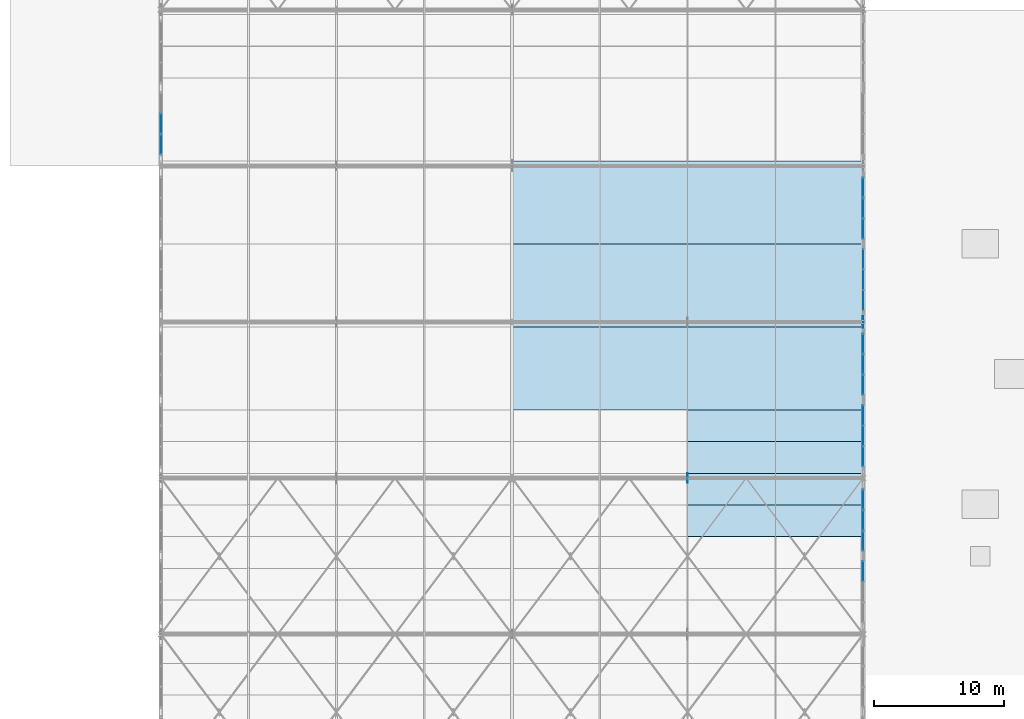
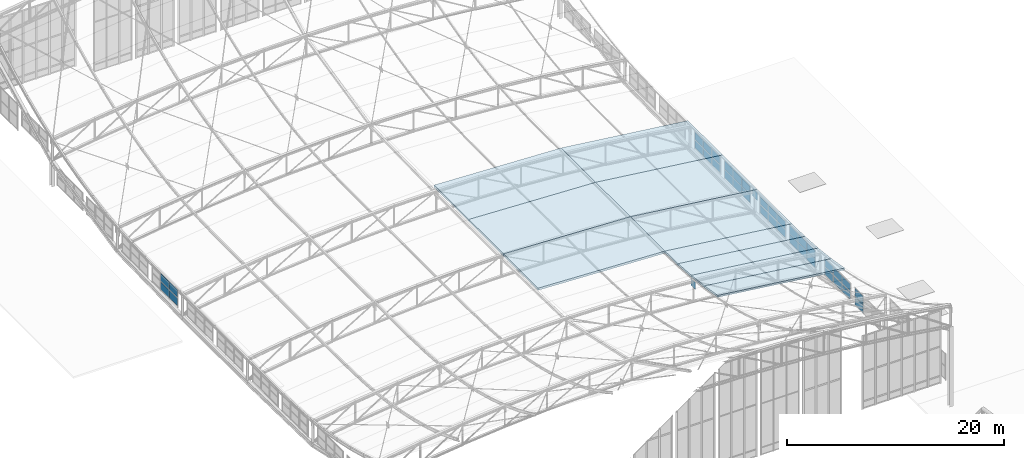
# One storey, part 224 of 262: 38 plates, 10 slabs, 7 elements without a shape of their own.
"""IFC4 building model written with IfcOpenShell, lengths in metres."""

from ifc_helpers import new_model, si_unit, derived_unit, direction, frame, origin, origin_2d, place, context, subcontext, project, spatial, polyline, rectangle, outline, extrude, material, layer, layer_set, type_object, element, aggregate, save


model = new_model("IFC4")

# Units and contexts
model_context = context("Model", 3, precision=1e-05, world=origin(), true_north=direction((0.0, 1.0)))
body_context = subcontext(model_context, "Body", "Model", "MODEL_VIEW")
ifc_project = project(units=[si_unit("LENGTHUNIT", "METRE"), si_unit("AREAUNIT", "SQUARE_METRE"), si_unit("VOLUMEUNIT", "CUBIC_METRE"), si_unit("PLANEANGLEUNIT", "RADIAN"), si_unit("MASSUNIT", "GRAM", prefix="KILO"), derived_unit("THERMALTRANSMITTANCEUNIT", [(si_unit("POWERUNIT", "WATT"), 1), (si_unit("LENGTHUNIT", "METRE"), -2), (si_unit("THERMODYNAMICTEMPERATUREUNIT", "KELVIN"), -1)])], contexts=[model_context])

# Site, building, storey
site_placement = place(None, origin())
site = spatial("IfcSite", under=ifc_project, at=site_placement, CompositionType="ELEMENT")
building_placement = place(site_placement, origin())
building = spatial("IfcBuilding", under=site, at=building_placement, Name="Almenara Railside Exhibition Hall", CompositionType="ELEMENT")
storey_placement = place(building_placement, frame((0.0, 0.0, 21.699951171875)))
storey = spatial("IfcBuildingStorey", under=building, at=storey_placement, Name="RF", CompositionType="ELEMENT", Elevation=21.699951171875)

# Curtain wall, plates
ifc_material_1 = material(Name="Bronze-anodised aluminium and low-E double glazing", Category="aluminium")
ifc_layer_1 = layer(ifc_material_1, 0.179931640625, Name="Bronze-anodised aluminium and low-E double glazing")
ifc_layer_set_1 = layer_set([ifc_layer_1], Name="Bronze-anodised aluminium and low-E double glazing")
curtain_wall_type = type_object("IfcCurtainWallType", Name="West Hall Clerestory Curtain Wall 4200x2400", PredefinedType="NOTDEFINED", material=ifc_layer_set_1)
curtain_wall_1_placement = place(storey_placement, origin())
curtain_wall_1 = element("IfcCurtainWall", 1, at=curtain_wall_1_placement, inside=storey, type_object=curtain_wall_type, Name="Curtain wall CW-CL1-175", PredefinedType="NOTDEFINED")
ifc_material_2 = material(Name="Solar-control acoustic laminated glazing", Category="glass")
ifc_layer_2 = layer(ifc_material_2, 0.031982421875, Name="Solar-control acoustic laminated glazing")
ifc_layer_set_2 = layer_set([ifc_layer_2], Name="Solar-control acoustic laminated glazing")
plate_type_1 = type_object("IfcPlateType", Name="Acoustic Low-E Double Glazing Panel 32mm", PredefinedType="CURTAIN_PANEL", material=ifc_layer_set_2)
plate_1_placement = place(storey_placement, frame((66.0, 67.16748046875, -1.64599609375), z_axis=(0.0, 0.0, 1.0), x_axis=(0.0, 1.0, 0.0)))
plate_1 = element("IfcPlate", 2, at=plate_1_placement, type_object=plate_type_1, Name="CW-CL1-175 panel 1.1", PredefinedType="CURTAIN_PANEL", context=body_context, shape_type="SweptSolid", body=[
    extrude(rectangle(XDim=1.510986328125, YDim=0.031982421875, at=origin_2d()), origin(), (0.0, 0.0, 1.0), 0.81689453125),
])
plate_2_placement = place(storey_placement, frame((66.0, 67.16748046875, -0.700927734375), z_axis=(0.0, 0.0, 1.0), x_axis=(0.0, 1.0, 0.0)))
plate_2 = element("IfcPlate", 3, at=plate_2_placement, type_object=plate_type_1, Name="CW-CL1-175 panel 1.2", PredefinedType="CURTAIN_PANEL", context=body_context, shape_type="SweptSolid", body=[
    extrude(rectangle(XDim=1.510986328125, YDim=0.031982421875, at=origin_2d()), origin(), (0.0, 0.0, 1.0), 0.81689453125),
])
plate_3_placement = place(storey_placement, frame((66.0, 68.75, -1.64599609375), z_axis=(0.0, 0.0, 1.0), x_axis=(0.0, 1.0, 0.0)))
plate_3 = element("IfcPlate", 4, at=plate_3_placement, type_object=plate_type_1, Name="CW-CL1-175 panel 2.1", PredefinedType="CURTAIN_PANEL", context=body_context, shape_type="SweptSolid", body=[
    extrude(rectangle(XDim=1.5458984375, YDim=0.031982421875, at=origin_2d()), origin(), (0.0, 0.0, 1.0), 0.81689453125),
])
plate_4_placement = place(storey_placement, frame((66.0, 68.75, -0.700927734375), z_axis=(0.0, 0.0, 1.0), x_axis=(0.0, 1.0, 0.0)))
plate_4 = element("IfcPlate", 5, at=plate_4_placement, type_object=plate_type_1, Name="CW-CL1-175 panel 2.2", PredefinedType="CURTAIN_PANEL", context=body_context, shape_type="SweptSolid", body=[
    extrude(rectangle(XDim=1.5458984375, YDim=0.031982421875, at=origin_2d()), origin(), (0.0, 0.0, 1.0), 0.81689453125),
])
plate_5_placement = place(storey_placement, frame((66.0, 70.33251953125, -1.64599609375), z_axis=(0.0, 0.0, 1.0), x_axis=(0.0, 1.0, 0.0)))
plate_5 = element("IfcPlate", 6, at=plate_5_placement, type_object=plate_type_1, Name="CW-CL1-175 panel 3.1", PredefinedType="CURTAIN_PANEL", context=body_context, shape_type="SweptSolid", body=[
    extrude(rectangle(XDim=1.510986328125, YDim=0.031982421875, at=origin_2d()), origin(), (0.0, 0.0, 1.0), 0.81689453125),
])
plate_6_placement = place(storey_placement, frame((66.0, 70.33251953125, -0.700927734375), z_axis=(0.0, 0.0, 1.0), x_axis=(0.0, 1.0, 0.0)))
plate_6 = element("IfcPlate", 7, at=plate_6_placement, type_object=plate_type_1, Name="CW-CL1-175 panel 3.2", PredefinedType="CURTAIN_PANEL", context=body_context, shape_type="SweptSolid", body=[
    extrude(rectangle(XDim=1.510986328125, YDim=0.031982421875, at=origin_2d()), origin(), (0.0, 0.0, 1.0), 0.81689453125),
])
aggregate(curtain_wall_1, [plate_1, plate_2, plate_3, plate_4, plate_5, plate_6])

curtain_wall_2_placement = place(storey_placement, origin())
curtain_wall_2 = element("IfcCurtainWall", 8, at=curtain_wall_2_placement, inside=storey, type_object=curtain_wall_type, Name="Curtain wall CW-CL1-182", PredefinedType="NOTDEFINED")
ifc_material_3 = material(Name="Clear low-E laminated double glazing", Category="glass")
ifc_layer_3 = layer(ifc_material_3, 0.02392578125, Name="Clear low-E laminated double glazing")
ifc_layer_set_3 = layer_set([ifc_layer_3], Name="Clear low-E laminated double glazing")
plate_type_2 = type_object("IfcPlateType", Name="Courtyard Clear Double Glazing Panel 24mm", PredefinedType="CURTAIN_PANEL", material=ifc_layer_set_3)
plate_7_placement = place(storey_placement, frame((66.0, 85.663818359375, -1.97607421875), z_axis=(0.0, 0.0, 1.0), x_axis=(0.0, 1.0, 0.0)))
plate_7 = element("IfcPlate", 9, at=plate_7_placement, type_object=plate_type_2, Name="CW-CL1-182 panel 1.1", PredefinedType="CURTAIN_PANEL", context=body_context, shape_type="SweptSolid", body=[
    extrude(rectangle(XDim=1.533447265625, YDim=0.02392578125, at=origin_2d()), origin(), (0.0, 0.0, 1.0), 0.922119140625),
])
plate_8_placement = place(storey_placement, frame((66.0, 85.663818359375, -0.99609375), z_axis=(0.0, 0.0, 1.0), x_axis=(0.0, 1.0, 0.0)))
plate_8 = element("IfcPlate", 10, at=plate_8_placement, type_object=plate_type_2, Name="CW-CL1-182 panel 1.2", PredefinedType="CURTAIN_PANEL", context=body_context, shape_type="SweptSolid", body=[
    extrude(rectangle(XDim=1.533447265625, YDim=0.02392578125, at=origin_2d()), origin(), (0.0, 0.0, 1.0), 0.922119140625),
])
plate_9_placement = place(storey_placement, frame((66.0, 87.25, -1.97607421875), z_axis=(0.0, 0.0, 1.0), x_axis=(0.0, 1.0, 0.0)))
plate_9 = element("IfcPlate", 11, at=plate_9_placement, type_object=plate_type_2, Name="CW-CL1-182 panel 2.1", PredefinedType="CURTAIN_PANEL", context=body_context, shape_type="SweptSolid", body=[
    extrude(rectangle(XDim=1.56103515625, YDim=0.02392578125, at=origin_2d()), origin(), (0.0, 0.0, 1.0), 0.922119140625),
])
plate_10_placement = place(storey_placement, frame((66.0, 87.25, -0.99609375), z_axis=(0.0, 0.0, 1.0), x_axis=(0.0, 1.0, 0.0)))
plate_10 = element("IfcPlate", 12, at=plate_10_placement, type_object=plate_type_2, Name="CW-CL1-182 panel 2.2", PredefinedType="CURTAIN_PANEL", context=body_context, shape_type="SweptSolid", body=[
    extrude(rectangle(XDim=1.56103515625, YDim=0.02392578125, at=origin_2d()), origin(), (0.0, 0.0, 1.0), 0.922119140625),
])
plate_11_placement = place(storey_placement, frame((66.0, 88.836181640625, -1.97607421875), z_axis=(0.0, 0.0, 1.0), x_axis=(0.0, 1.0, 0.0)))
plate_11 = element("IfcPlate", 13, at=plate_11_placement, type_object=plate_type_2, Name="CW-CL1-182 panel 3.1", PredefinedType="CURTAIN_PANEL", context=body_context, shape_type="SweptSolid", body=[
    extrude(rectangle(XDim=1.533447265625, YDim=0.02392578125, at=origin_2d()), origin(), (0.0, 0.0, 1.0), 0.922119140625),
])
plate_12_placement = place(storey_placement, frame((66.0, 88.836181640625, -0.99609375), z_axis=(0.0, 0.0, 1.0), x_axis=(0.0, 1.0, 0.0)))
plate_12 = element("IfcPlate", 14, at=plate_12_placement, type_object=plate_type_2, Name="CW-CL1-182 panel 3.2", PredefinedType="CURTAIN_PANEL", context=body_context, shape_type="SweptSolid", body=[
    extrude(rectangle(XDim=1.533447265625, YDim=0.02392578125, at=origin_2d()), origin(), (0.0, 0.0, 1.0), 0.922119140625),
])
aggregate(curtain_wall_2, [plate_7, plate_8, plate_9, plate_10, plate_11, plate_12])

# Slabs
ifc_material_4 = material(Name="Planted green roof insulated steel S355JR deck", Category="steel")
ifc_layer_4 = layer(ifc_material_4, 0.2451171875, Name="Planted green roof insulated steel S355JR deck")
ifc_layer_set_4 = layer_set([ifc_layer_4], Name="Planted green roof insulated steel S355JR deck")
slab_type_1 = type_object("IfcSlabType", Name="Flat Planted Hall Roof Deck 245mm S355JR", PredefinedType="ROOF", material=ifc_layer_set_4)
slab_1_placement = place(storey_placement, frame((39.0, 77.240478515625, 2.5400390625), z_axis=(0.04071057978, 0.0, 0.99917098071), x_axis=(0.99917098071, 0.0, -0.04071057978)))
element("IfcSlab", 15, at=slab_1_placement, inside=storey, type_object=slab_type_1, Name="V1 roof cassette RC-V1-13C", PredefinedType="ROOF", context=body_context, shape_type="SweptSolid", body=[
    extrude(outline(polyline([(0.0, 0.0), (13.511201046291989, 0.0), (13.511201046291989, 6.379638671875), (0.0, 6.379638671875), (0.0, 0.0)])), origin(), (0.0, 0.0, -1.0), 0.2451171875),
])
slab_2_placement = place(storey_placement, frame((52.5, 77.240478515625, 1.989990234375), z_axis=(0.121312355276, 0.0, 0.992614382556), x_axis=(0.992614382556, 0.0, -0.121312355276)))
element("IfcSlab", 16, at=slab_2_placement, inside=storey, type_object=slab_type_1, Name="V1 roof cassette RC-V1-13D", PredefinedType="ROOF", context=body_context, shape_type="SweptSolid", body=[
    extrude(outline(polyline([(0.0, 0.0), (13.600447703804157, 0.0), (13.600447703804157, 6.379638671875), (0.0, 6.379638671875), (0.0, 0.0)])), origin(), (0.0, 0.0, -1.0), 0.2451171875),
])
slab_3_placement = place(storey_placement, frame((39.0, 83.6201171875, 2.5400390625), z_axis=(0.04071057978, 0.0, 0.99917098071), x_axis=(0.99917098071, 0.0, -0.04071057978)))
element("IfcSlab", 17, at=slab_3_placement, inside=storey, type_object=slab_type_1, Name="V1 roof cassette RC-V1-14C", PredefinedType="ROOF", context=body_context, shape_type="SweptSolid", body=[
    extrude(outline(polyline([(0.0, 0.0), (13.511201046291989, 0.0), (13.511201046291989, 6.3798828125), (0.0, 6.3798828125), (0.0, 0.0)])), origin(), (0.0, 0.0, -1.0), 0.2451171875),
])
slab_4_placement = place(storey_placement, frame((52.5, 83.6201171875, 1.989990234375), z_axis=(0.121312355276, 0.0, 0.992614382556), x_axis=(0.992614382556, 0.0, -0.121312355276)))
element("IfcSlab", 18, at=slab_4_placement, inside=storey, type_object=slab_type_1, Name="V1 roof cassette RC-V1-14D", PredefinedType="ROOF", context=body_context, shape_type="SweptSolid", body=[
    extrude(outline(polyline([(0.0, 0.0), (13.600447703804157, 0.0), (13.600447703804157, 6.3798828125), (0.0, 6.3798828125), (0.0, 0.0)])), origin(), (0.0, 0.0, -1.0), 0.2451171875),
])
slab_5_placement = place(storey_placement, frame((39.0, 90.0, 2.5400390625), z_axis=(0.04071057978, 0.0, 0.99917098071), x_axis=(0.99917098071, 0.0, -0.04071057978)))
element("IfcSlab", 19, at=slab_5_placement, inside=storey, type_object=slab_type_1, Name="V1 roof cassette RC-V1-15C", PredefinedType="ROOF", context=body_context, shape_type="SweptSolid", body=[
    extrude(outline(polyline([(0.0, 0.0), (13.511201046291989, 0.0), (13.511201046291989, 6.3798828125), (0.0, 6.3798828125), (0.0, 0.0)])), origin(), (0.0, 0.0, -1.0), 0.2451171875),
])
slab_6_placement = place(storey_placement, frame((52.5, 90.0, 1.989990234375), z_axis=(0.121312355276, 0.0, 0.992614382556), x_axis=(0.992614382556, 0.0, -0.121312355276)))
element("IfcSlab", 20, at=slab_6_placement, inside=storey, type_object=slab_type_1, Name="V1 roof cassette RC-V1-15D", PredefinedType="ROOF", context=body_context, shape_type="SweptSolid", body=[
    extrude(outline(polyline([(0.0, 0.0), (13.600447703804157, 0.0), (13.600447703804157, 6.3798828125), (0.0, 6.3798828125), (0.0, 0.0)])), origin(), (0.0, 0.0, -1.0), 0.2451171875),
])

# Curtain wall, plates
curtain_wall_3_placement = place(storey_placement, origin())
curtain_wall_3 = element("IfcCurtainWall", 21, at=curtain_wall_3_placement, inside=storey, type_object=curtain_wall_type, Name="Curtain wall CW-CL1-178", PredefinedType="NOTDEFINED")
ifc_material_5 = material(Name="Bronze-anodised insulated aluminium spandrel", Category="aluminium")
ifc_layer_5 = layer(ifc_material_5, 0.0400390625, Name="Bronze-anodised insulated aluminium spandrel")
ifc_layer_set_5 = layer_set([ifc_layer_5], Name="Bronze-anodised insulated aluminium spandrel")
plate_type_3 = type_object("IfcPlateType", Name="Insulated Bronze Spandrel Panel 40mm", PredefinedType="CURTAIN_PANEL", material=ifc_layer_set_5)
plate_13_placement = place(storey_placement, frame((66.0, 73.663818359375, -1.97607421875), z_axis=(0.0, 0.0, 1.0), x_axis=(0.0, 1.0, 0.0)))
plate_13 = element("IfcPlate", 22, at=plate_13_placement, type_object=plate_type_3, Name="CW-CL1-178 panel 1.1", PredefinedType="CURTAIN_PANEL", context=body_context, shape_type="SweptSolid", body=[
    extrude(rectangle(XDim=1.533447265625, YDim=0.0400390625, at=origin_2d()), origin(), (0.0, 0.0, 1.0), 0.922119140625),
])
plate_14_placement = place(storey_placement, frame((66.0, 73.663818359375, -0.99609375), z_axis=(0.0, 0.0, 1.0), x_axis=(0.0, 1.0, 0.0)))
plate_14 = element("IfcPlate", 23, at=plate_14_placement, type_object=plate_type_3, Name="CW-CL1-178 panel 1.2", PredefinedType="CURTAIN_PANEL", context=body_context, shape_type="SweptSolid", body=[
    extrude(rectangle(XDim=1.533447265625, YDim=0.0400390625, at=origin_2d()), origin(), (0.0, 0.0, 1.0), 0.922119140625),
])
plate_15_placement = place(storey_placement, frame((66.0, 75.25, -1.97607421875), z_axis=(0.0, 0.0, 1.0), x_axis=(0.0, 1.0, 0.0)))
plate_15 = element("IfcPlate", 24, at=plate_15_placement, type_object=plate_type_3, Name="CW-CL1-178 panel 2.1", PredefinedType="CURTAIN_PANEL", context=body_context, shape_type="SweptSolid", body=[
    extrude(rectangle(XDim=1.56103515625, YDim=0.0400390625, at=origin_2d()), origin(), (0.0, 0.0, 1.0), 0.922119140625),
])
plate_16_placement = place(storey_placement, frame((66.0, 75.25, -0.99609375), z_axis=(0.0, 0.0, 1.0), x_axis=(0.0, 1.0, 0.0)))
plate_16 = element("IfcPlate", 25, at=plate_16_placement, type_object=plate_type_3, Name="CW-CL1-178 panel 2.2", PredefinedType="CURTAIN_PANEL", context=body_context, shape_type="SweptSolid", body=[
    extrude(rectangle(XDim=1.56103515625, YDim=0.0400390625, at=origin_2d()), origin(), (0.0, 0.0, 1.0), 0.922119140625),
])
plate_17_placement = place(storey_placement, frame((66.0, 76.836181640625, -1.97607421875), z_axis=(0.0, 0.0, 1.0), x_axis=(0.0, 1.0, 0.0)))
plate_17 = element("IfcPlate", 26, at=plate_17_placement, type_object=plate_type_3, Name="CW-CL1-178 panel 3.1", PredefinedType="CURTAIN_PANEL", context=body_context, shape_type="SweptSolid", body=[
    extrude(rectangle(XDim=1.533447265625, YDim=0.0400390625, at=origin_2d()), origin(), (0.0, 0.0, 1.0), 0.922119140625),
])
plate_18_placement = place(storey_placement, frame((66.0, 76.836181640625, -0.99609375), z_axis=(0.0, 0.0, 1.0), x_axis=(0.0, 1.0, 0.0)))
plate_18 = element("IfcPlate", 27, at=plate_18_placement, type_object=plate_type_3, Name="CW-CL1-178 panel 3.2", PredefinedType="CURTAIN_PANEL", context=body_context, shape_type="SweptSolid", body=[
    extrude(rectangle(XDim=1.533447265625, YDim=0.0400390625, at=origin_2d()), origin(), (0.0, 0.0, 1.0), 0.922119140625),
])
aggregate(curtain_wall_3, [plate_13, plate_14, plate_15, plate_16, plate_17, plate_18])

curtain_wall_4_placement = place(storey_placement, origin())
curtain_wall_4 = element("IfcCurtainWall", 28, at=curtain_wall_4_placement, inside=storey, type_object=curtain_wall_type, Name="Curtain wall CW-CL1-183", PredefinedType="NOTDEFINED")
plate_19_placement = place(storey_placement, frame((66.0, 91.16748046875, -1.906005859375), z_axis=(0.0, 0.0, 1.0), x_axis=(0.0, 1.0, 0.0)))
plate_19 = element("IfcPlate", 29, at=plate_19_placement, type_object=plate_type_3, Name="CW-CL1-183 panel 1.1", PredefinedType="CURTAIN_PANEL", context=body_context, shape_type="SweptSolid", body=[
    extrude(rectangle(XDim=1.510986328125, YDim=0.0400390625, at=origin_2d()), origin(), (0.0, 0.0, 1.0), 0.81689453125),
])
plate_20_placement = place(storey_placement, frame((66.0, 91.16748046875, -0.9609375), z_axis=(0.0, 0.0, 1.0), x_axis=(0.0, 1.0, 0.0)))
plate_20 = element("IfcPlate", 30, at=plate_20_placement, type_object=plate_type_3, Name="CW-CL1-183 panel 1.2", PredefinedType="CURTAIN_PANEL", context=body_context, shape_type="SweptSolid", body=[
    extrude(rectangle(XDim=1.510986328125, YDim=0.0400390625, at=origin_2d()), origin(), (0.0, 0.0, 1.0), 0.81689453125),
])
plate_21_placement = place(storey_placement, frame((66.0, 92.75, -1.906005859375), z_axis=(0.0, 0.0, 1.0), x_axis=(0.0, 1.0, 0.0)))
plate_21 = element("IfcPlate", 31, at=plate_21_placement, type_object=plate_type_3, Name="CW-CL1-183 panel 2.1", PredefinedType="CURTAIN_PANEL", context=body_context, shape_type="SweptSolid", body=[
    extrude(rectangle(XDim=1.5458984375, YDim=0.0400390625, at=origin_2d()), origin(), (0.0, 0.0, 1.0), 0.81689453125),
])
plate_22_placement = place(storey_placement, frame((66.0, 92.75, -0.9609375), z_axis=(0.0, 0.0, 1.0), x_axis=(0.0, 1.0, 0.0)))
plate_22 = element("IfcPlate", 32, at=plate_22_placement, type_object=plate_type_3, Name="CW-CL1-183 panel 2.2", PredefinedType="CURTAIN_PANEL", context=body_context, shape_type="SweptSolid", body=[
    extrude(rectangle(XDim=1.5458984375, YDim=0.0400390625, at=origin_2d()), origin(), (0.0, 0.0, 1.0), 0.81689453125),
])
plate_23_placement = place(storey_placement, frame((66.0, 94.33251953125, -1.906005859375), z_axis=(0.0, 0.0, 1.0), x_axis=(0.0, 1.0, 0.0)))
plate_23 = element("IfcPlate", 33, at=plate_23_placement, type_object=plate_type_3, Name="CW-CL1-183 panel 3.1", PredefinedType="CURTAIN_PANEL", context=body_context, shape_type="SweptSolid", body=[
    extrude(rectangle(XDim=1.510986328125, YDim=0.0400390625, at=origin_2d()), origin(), (0.0, 0.0, 1.0), 0.81689453125),
])
plate_24_placement = place(storey_placement, frame((66.0, 94.33251953125, -0.9609375), z_axis=(0.0, 0.0, 1.0), x_axis=(0.0, 1.0, 0.0)))
plate_24 = element("IfcPlate", 34, at=plate_24_placement, type_object=plate_type_3, Name="CW-CL1-183 panel 3.2", PredefinedType="CURTAIN_PANEL", context=body_context, shape_type="SweptSolid", body=[
    extrude(rectangle(XDim=1.510986328125, YDim=0.0400390625, at=origin_2d()), origin(), (0.0, 0.0, 1.0), 0.81689453125),
])
aggregate(curtain_wall_4, [plate_19, plate_20, plate_21, plate_22, plate_23, plate_24])

curtain_wall_5_placement = place(storey_placement, origin())
curtain_wall_5 = element("IfcCurtainWall", 35, at=curtain_wall_5_placement, inside=storey, type_object=curtain_wall_type, Name="Curtain wall CW-CL1-174", PredefinedType="NOTDEFINED")
ifc_layer_6 = layer(ifc_material_5, 0.034912109375, Name="Bronze-anodised insulated aluminium spandrel")
ifc_layer_set_6 = layer_set([ifc_layer_6], Name="Bronze-anodised insulated aluminium spandrel")
plate_type_4 = type_object("IfcPlateType", Name="Insulated Stucco-Tone Spandrel Panel 35mm", PredefinedType="CURTAIN_PANEL", material=ifc_layer_set_6)
plate_25_placement = place(storey_placement, frame((66.0, 64.836181640625, -1.7158203125), z_axis=(0.0, 0.0, 1.0), x_axis=(0.0, 1.0, 0.0)))
plate_25 = element("IfcPlate", 36, at=plate_25_placement, type_object=plate_type_4, Name="CW-CL1-174 panel 3.1", PredefinedType="CURTAIN_PANEL", context=body_context, shape_type="SweptSolid", body=[
    extrude(rectangle(XDim=1.533447265625, YDim=0.034912109375, at=origin_2d()), origin(), (0.0, 0.0, 1.0), 0.922119140625),
])
plate_26_placement = place(storey_placement, frame((66.0, 64.836181640625, -0.73583984375), z_axis=(0.0, 0.0, 1.0), x_axis=(0.0, 1.0, 0.0)))
plate_26 = element("IfcPlate", 37, at=plate_26_placement, type_object=plate_type_4, Name="CW-CL1-174 panel 3.2", PredefinedType="CURTAIN_PANEL", context=body_context, shape_type="SweptSolid", body=[
    extrude(rectangle(XDim=1.533447265625, YDim=0.034912109375, at=origin_2d()), origin(), (0.0, 0.0, 1.0), 0.922119140625),
])
aggregate(curtain_wall_5, [plate_25, plate_26])

curtain_wall_6_placement = place(storey_placement, origin())
curtain_wall_6 = element("IfcCurtainWall", 38, at=curtain_wall_6_placement, inside=storey, type_object=curtain_wall_type, Name="Curtain wall CW-CL1-179", PredefinedType="NOTDEFINED")
plate_27_placement = place(storey_placement, frame((66.0, 79.16748046875, -1.906005859375), z_axis=(0.0, 0.0, 1.0), x_axis=(0.0, 1.0, 0.0)))
plate_27 = element("IfcPlate", 39, at=plate_27_placement, type_object=plate_type_4, Name="CW-CL1-179 panel 1.1", PredefinedType="CURTAIN_PANEL", context=body_context, shape_type="SweptSolid", body=[
    extrude(rectangle(XDim=1.510986328125, YDim=0.034912109375, at=origin_2d()), origin(), (0.0, 0.0, 1.0), 0.81689453125),
])
plate_28_placement = place(storey_placement, frame((66.0, 79.16748046875, -0.9609375), z_axis=(0.0, 0.0, 1.0), x_axis=(0.0, 1.0, 0.0)))
plate_28 = element("IfcPlate", 40, at=plate_28_placement, type_object=plate_type_4, Name="CW-CL1-179 panel 1.2", PredefinedType="CURTAIN_PANEL", context=body_context, shape_type="SweptSolid", body=[
    extrude(rectangle(XDim=1.510986328125, YDim=0.034912109375, at=origin_2d()), origin(), (0.0, 0.0, 1.0), 0.81689453125),
])
plate_29_placement = place(storey_placement, frame((66.0, 80.75, -1.906005859375), z_axis=(0.0, 0.0, 1.0), x_axis=(0.0, 1.0, 0.0)))
plate_29 = element("IfcPlate", 41, at=plate_29_placement, type_object=plate_type_4, Name="CW-CL1-179 panel 2.1", PredefinedType="CURTAIN_PANEL", context=body_context, shape_type="SweptSolid", body=[
    extrude(rectangle(XDim=1.5458984375, YDim=0.034912109375, at=origin_2d()), origin(), (0.0, 0.0, 1.0), 0.81689453125),
])
plate_30_placement = place(storey_placement, frame((66.0, 80.75, -0.9609375), z_axis=(0.0, 0.0, 1.0), x_axis=(0.0, 1.0, 0.0)))
plate_30 = element("IfcPlate", 42, at=plate_30_placement, type_object=plate_type_4, Name="CW-CL1-179 panel 2.2", PredefinedType="CURTAIN_PANEL", context=body_context, shape_type="SweptSolid", body=[
    extrude(rectangle(XDim=1.5458984375, YDim=0.034912109375, at=origin_2d()), origin(), (0.0, 0.0, 1.0), 0.81689453125),
])
plate_31_placement = place(storey_placement, frame((66.0, 82.33251953125, -1.906005859375), z_axis=(0.0, 0.0, 1.0), x_axis=(0.0, 1.0, 0.0)))
plate_31 = element("IfcPlate", 43, at=plate_31_placement, type_object=plate_type_4, Name="CW-CL1-179 panel 3.1", PredefinedType="CURTAIN_PANEL", context=body_context, shape_type="SweptSolid", body=[
    extrude(rectangle(XDim=1.510986328125, YDim=0.034912109375, at=origin_2d()), origin(), (0.0, 0.0, 1.0), 0.81689453125),
])
plate_32_placement = place(storey_placement, frame((66.0, 82.33251953125, -0.9609375), z_axis=(0.0, 0.0, 1.0), x_axis=(0.0, 1.0, 0.0)))
plate_32 = element("IfcPlate", 44, at=plate_32_placement, type_object=plate_type_4, Name="CW-CL1-179 panel 3.2", PredefinedType="CURTAIN_PANEL", context=body_context, shape_type="SweptSolid", body=[
    extrude(rectangle(XDim=1.510986328125, YDim=0.034912109375, at=origin_2d()), origin(), (0.0, 0.0, 1.0), 0.81689453125),
])
aggregate(curtain_wall_6, [plate_27, plate_28, plate_29, plate_30, plate_31, plate_32])

curtain_wall_7_placement = place(storey_placement, origin())
curtain_wall_7 = element("IfcCurtainWall", 45, at=curtain_wall_7_placement, inside=storey, type_object=curtain_wall_type, Name="Curtain wall CW-CL1-184", PredefinedType="NOTDEFINED")
plate_33_placement = place(storey_placement, frame((12.0, 97.666259765625, -1.92578125), z_axis=(0.0, 0.0, 1.0), x_axis=(0.0, 1.0, 0.0)))
plate_33 = element("IfcPlate", 46, at=plate_33_placement, type_object=plate_type_4, Name="CW-CL1-184 panel 1.1", PredefinedType="CURTAIN_PANEL", context=body_context, shape_type="SweptSolid", body=[
    extrude(rectangle(XDim=1.5185546875, YDim=0.034912109375, at=origin_2d()), origin(), (0.0, 0.0, 1.0), 0.846923828125),
])
plate_34_placement = place(storey_placement, frame((12.0, 97.666259765625, -0.970703125), z_axis=(0.0, 0.0, 1.0), x_axis=(0.0, 1.0, 0.0)))
plate_34 = element("IfcPlate", 47, at=plate_34_placement, type_object=plate_type_4, Name="CW-CL1-184 panel 1.2", PredefinedType="CURTAIN_PANEL", context=body_context, shape_type="SweptSolid", body=[
    extrude(rectangle(XDim=1.5185546875, YDim=0.034912109375, at=origin_2d()), origin(), (0.0, 0.0, 1.0), 0.846923828125),
])
plate_35_placement = place(storey_placement, frame((12.0, 99.25, -1.92578125), z_axis=(0.0, 0.0, 1.0), x_axis=(0.0, 1.0, 0.0)))
plate_35 = element("IfcPlate", 48, at=plate_35_placement, type_object=plate_type_4, Name="CW-CL1-184 panel 2.1", PredefinedType="CURTAIN_PANEL", context=body_context, shape_type="SweptSolid", body=[
    extrude(rectangle(XDim=1.551025390625, YDim=0.034912109375, at=origin_2d()), origin(), (0.0, 0.0, 1.0), 0.846923828125),
])
plate_36_placement = place(storey_placement, frame((12.0, 99.25, -0.970703125), z_axis=(0.0, 0.0, 1.0), x_axis=(0.0, 1.0, 0.0)))
plate_36 = element("IfcPlate", 49, at=plate_36_placement, type_object=plate_type_4, Name="CW-CL1-184 panel 2.2", PredefinedType="CURTAIN_PANEL", context=body_context, shape_type="SweptSolid", body=[
    extrude(rectangle(XDim=1.551025390625, YDim=0.034912109375, at=origin_2d()), origin(), (0.0, 0.0, 1.0), 0.846923828125),
])
aggregate(curtain_wall_7, [plate_33, plate_34, plate_35, plate_36])

# Slabs
ifc_material_6 = material(Name="White standing-seam insulated steel S355JR roof deck", Category="steel")
ifc_layer_7 = layer(ifc_material_6, 0.195068359375, Name="White standing-seam insulated steel S355JR roof deck")
ifc_layer_set_7 = layer_set([ifc_layer_7], Name="White standing-seam insulated steel S355JR roof deck")
slab_type_2 = type_object("IfcSlabType", Name="Scroll Standing-Seam Insulated Roof Cassette 195mm S355JR", PredefinedType="ROOF", material=ifc_layer_set_7)
slab_7_placement = place(storey_placement, frame((52.5, 67.49365234375, 2.91162109375), z_axis=(0.119692276774, 0.162882973753, 0.979358410257), x_axis=(0.992614382556, 0.0, -0.121312355276)))
element("IfcSlab", 50, at=slab_7_placement, inside=storey, type_object=slab_type_2, Name="V1 roof cassette RC-V1-09D", PredefinedType="ROOF", context=body_context, shape_type="SweptSolid", body=[
    extrude(outline(polyline([(0.0, 0.0), (13.600447703804157, -5.551115123125783e-17), (13.649612379037887, 2.4697501136053037), (0.04916467523373066, 2.4697501136053033), (0.0, 0.0)])), origin(), (0.0, 0.0, -1.0), 0.195068359375),
])
slab_8_placement = place(storey_placement, frame((52.5, 69.930419921875, 2.50634765625), z_axis=(0.12049765247, 0.116319455065, 0.985875296436), x_axis=(0.992613316349, -1.029274e-06, -0.121321078982)))
element("IfcSlab", 51, at=slab_8_placement, inside=storey, type_object=slab_type_2, Name="V1 roof cassette RC-V1-10D", PredefinedType="ROOF", context=body_context, shape_type="SweptSolid", body=[
    extrude(outline(polyline([(0.0, 0.0), (13.600447703271705, 0.0), (13.635336853389381, 2.4531900876385815), (0.034859530713628975, 2.453161899073134), (0.0, 0.0)])), origin(), (0.0, 0.0, -1.0), 0.195068359375),
])
slab_9_placement = place(storey_placement, frame((52.5, 72.366943359375, 2.218994140625), z_axis=(0.121025359122, 0.069792671838, 0.990192832436), x_axis=(0.99261329646, 6.20277e-07, -0.121321241711)))
element("IfcSlab", 52, at=slab_9_placement, inside=storey, type_object=slab_type_2, Name="V1 roof cassette RC-V1-11D", PredefinedType="ROOF", context=body_context, shape_type="SweptSolid", body=[
    extrude(outline(polyline([(0.0, 0.0), (13.600477322700291, 0.0), (13.621301303145854, 2.442715646349175), (0.02085359988934008, 2.4427325596936553), (0.0, 0.0)])), origin(), (0.0, 0.0, -1.0), 0.195068359375),
])
slab_10_placement = place(storey_placement, frame((52.5, 74.8037109375, 2.047119140625), z_axis=(0.121279519792, 0.023265093355, 0.992345712698), x_axis=(0.992614382556, 0.0, -0.121312355276)))
element("IfcSlab", 53, at=slab_10_placement, inside=storey, type_object=slab_type_2, Name="V1 roof cassette RC-V1-12D", PredefinedType="ROOF", context=body_context, shape_type="SweptSolid", body=[
    extrude(outline(polyline([(0.0, 0.0), (13.600447703804157, 0.0), (13.607378145975659, 2.437427313932009), (0.006930442171501791, 2.4374273139320084), (0.0, 0.0)])), origin(), (0.0, 0.0, -1.0), 0.195068359375),
])

# Plates
ifc_material_7 = material(Name="Structural steel S355JR", Category="steel")
ifc_layer_8 = layer(ifc_material_7, 0.02392578125, Name="Structural steel S355JR")
ifc_layer_set_8 = layer_set([ifc_layer_8], Name="Structural steel S355JR")
plate_type_5 = type_object("IfcPlateType", Name="Truss Node Gusset Plate 24mm S355JR", PredefinedType="USERDEFINED", material=ifc_layer_set_8)
plate_37_placement = place(storey_placement, frame((52.5, 72.0, 1.08984375), z_axis=(0.0, 0.0, 1.0), x_axis=(0.0, 1.0, 0.0)))
element("IfcPlate", 54, at=plate_37_placement, inside=storey, type_object=plate_type_5, Name="PLT-GUS-0014", ObjectType="GUSSET_PLATE", PredefinedType="USERDEFINED", context=body_context, shape_type="SweptSolid", body=[
    extrude(rectangle(XDim=0.75, YDim=0.02392578125, at=origin_2d()), origin(), (0.0, 0.0, 1.0), 0.75),
])
ifc_layer_9 = layer(ifc_material_7, 0.028076171875, Name="Structural steel S355JR")
ifc_layer_set_9 = layer_set([ifc_layer_9], Name="Structural steel S355JR")
plate_type_6 = type_object("IfcPlateType", Name="Truss Node Gusset Plate 28mm S355JR", PredefinedType="USERDEFINED", material=ifc_layer_set_9)
plate_38_placement = place(storey_placement, frame((66.0, 84.0, -0.875), z_axis=(0.0, 0.0, 1.0), x_axis=(0.0, 1.0, 0.0)))
element("IfcPlate", 55, at=plate_38_placement, inside=storey, type_object=plate_type_6, Name="PLT-GUS-0020", ObjectType="GUSSET_PLATE", PredefinedType="USERDEFINED", context=body_context, shape_type="SweptSolid", body=[
    extrude(rectangle(XDim=0.85009765625, YDim=0.028076171875, at=origin_2d()), origin(), (0.0, 0.0, 1.0), 0.85009765625),
])

save(model, "model.ifc")
